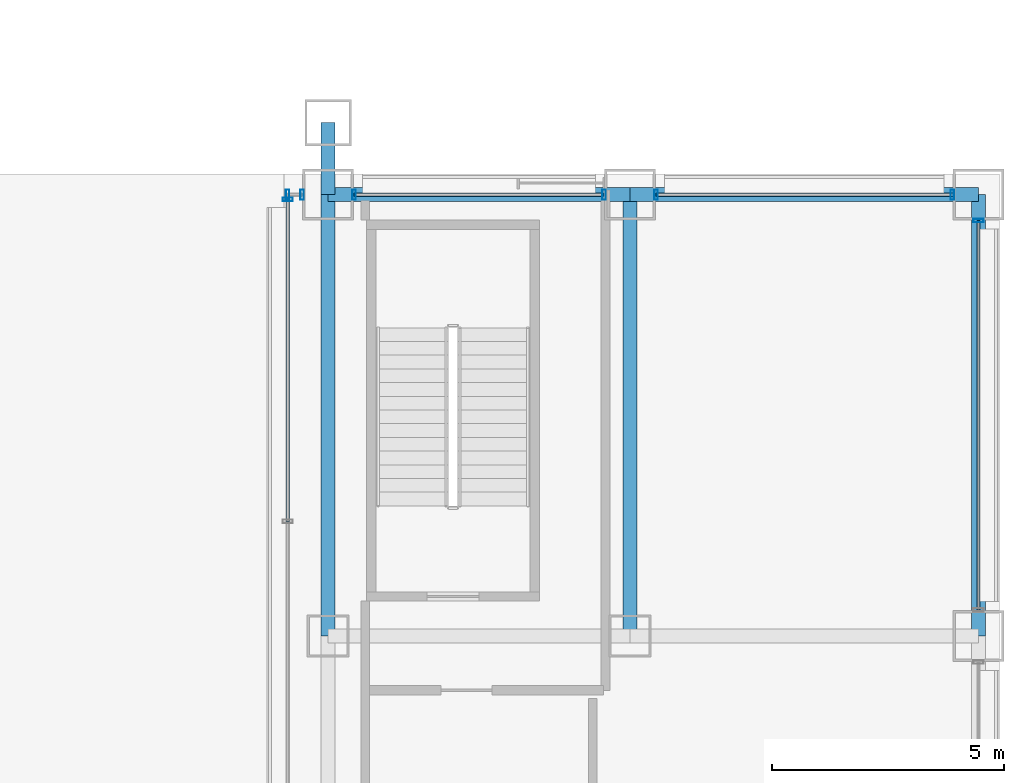
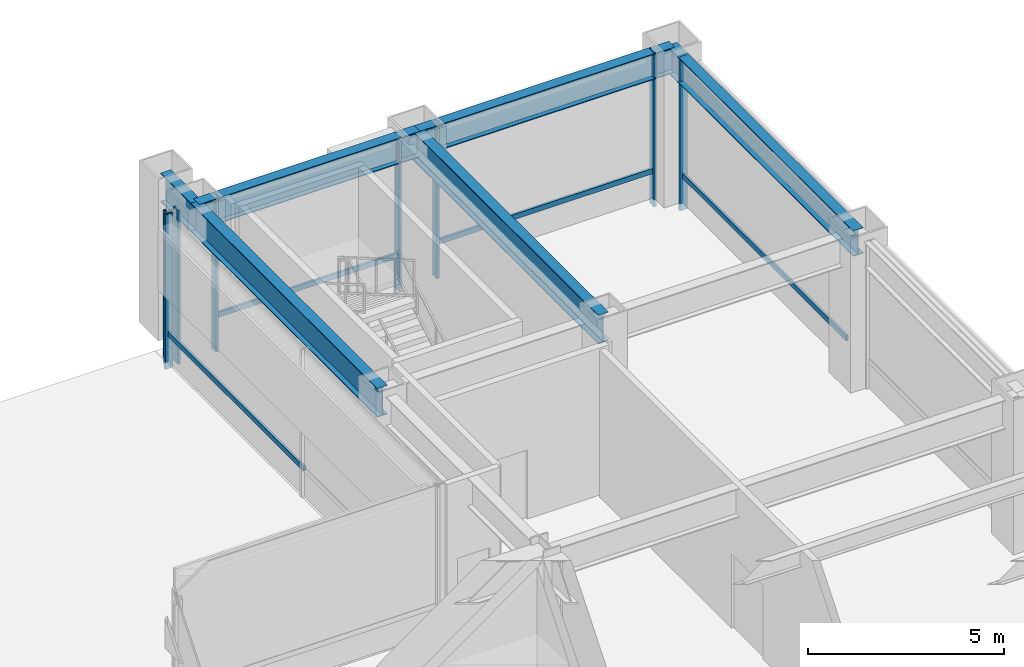
# One storey, part 20 of 37: 12 members, 6 beams, 5 elements without a shape of their own.
"""IFC4 building model written with IfcOpenShell, lengths in metres."""

from ifc_helpers import new_model, si_unit, direction, frame, origin, origin_2d, place, context, subcontext, project, spatial, hollow_rectangle, i_section, extrude, material, layer, layer_set, material_profile, profile_set, type_object, element, aggregate, save


model = new_model("IFC4")

# Units and contexts
model_context = context("Model", 3, precision=1e-05, world=origin(), true_north=direction((0.0, 1.0)))
body_context = subcontext(model_context, "Body", "Model", "MODEL_VIEW")
ifc_project = project(units=[si_unit("LENGTHUNIT", "METRE"), si_unit("AREAUNIT", "SQUARE_METRE"), si_unit("VOLUMEUNIT", "CUBIC_METRE"), si_unit("PLANEANGLEUNIT", "RADIAN"), si_unit("MASSUNIT", "GRAM", prefix="KILO")], contexts=[model_context])

# Site, building, storey
site_placement = place(None, origin())
site = spatial("IfcSite", under=ifc_project, at=site_placement, CompositionType="ELEMENT")
building_placement = place(site_placement, origin())
building = spatial("IfcBuilding", under=site, at=building_placement, Name="Brelmoor Portico Tower", CompositionType="ELEMENT")
storey_placement = place(building_placement, origin())
storey = spatial("IfcBuildingStorey", under=building, at=storey_placement, Name="L00", CompositionType="ELEMENT", Elevation=0.0)

# Beams
ifc_material_1 = material(Name="Steel Q355B", Category="steel")
ifc_material_profile_1 = material_profile(ifc_material_1, i_section(OverallWidth=0.300048828125, OverallDepth=0.89990234375, WebThickness=0.01611328125, FlangeThickness=0.028076171875, at=origin_2d()), Name="HN 900x300x16x28")
ifc_profile_set_1 = profile_set([ifc_material_profile_1], Name="Steel Q355B")
beam_type_1 = type_object("IfcBeamType", Name="BM-PG-900", PredefinedType="BEAM", material=ifc_profile_set_1)
beam_1_placement = place(storey_placement, frame((14.550048828125, 18.050048828125, 4.1298828125), z_axis=(0.0, 1.0, 0.0), x_axis=(-1.0, 0.0, 0.0)))
element("IfcBeam", 1, at=beam_1_placement, inside=storey, type_object=beam_type_1, Name="L00 Primary Floor Girder PG-17", PredefinedType="BEAM", context=body_context, shape_type="SweptSolid", body=[
    extrude(i_section(OverallWidth=0.300048828125, OverallDepth=0.89990234375, WebThickness=0.01611328125, FlangeThickness=0.028076171875, at=origin_2d()), origin(), (0.0, 0.0, 1.0), 9.5),
])
beam_2_placement = place(storey_placement, frame((14.550048828125, 27.550048828125, 4.1298828125), z_axis=(0.0, 1.0, 0.0), x_axis=(-1.0, 0.0, 0.0)))
element("IfcBeam", 2, at=beam_2_placement, inside=storey, type_object=beam_type_1, Name="L00 Primary Floor Girder PG-18", PredefinedType="BEAM", context=body_context, shape_type="SweptSolid", body=[
    extrude(i_section(OverallWidth=0.300048828125, OverallDepth=0.89990234375, WebThickness=0.01611328125, FlangeThickness=0.028076171875, at=origin_2d()), origin(), (0.0, 0.0, 1.0), 1.550048828125),
])
beam_3_placement = place(storey_placement, frame((21.050048828125, 18.050048828125, 4.1298828125), z_axis=(0.0, 1.0, 0.0), x_axis=(-1.0, 0.0, 0.0)))
element("IfcBeam", 3, at=beam_3_placement, inside=storey, type_object=beam_type_1, Name="L00 Primary Floor Girder PG-20", PredefinedType="BEAM", context=body_context, shape_type="SweptSolid", body=[
    extrude(i_section(OverallWidth=0.300048828125, OverallDepth=0.89990234375, WebThickness=0.01611328125, FlangeThickness=0.028076171875, at=origin_2d()), origin(), (0.0, 0.0, 1.0), 9.5),
])
ifc_material_profile_2 = material_profile(ifc_material_1, i_section(OverallWidth=0.300048828125, OverallDepth=0.800048828125, WebThickness=0.013916015625, FlangeThickness=0.02587890625, at=origin_2d()), Name="HN 800x300x14x26")
ifc_profile_set_2 = profile_set([ifc_material_profile_2], Name="Steel Q355B")
beam_type_2 = type_object("IfcBeamType", Name="BM-SP-800", PredefinedType="SPANDREL", material=ifc_profile_set_2)
beam_4_placement = place(storey_placement, frame((14.550048828125, 27.550048828125, 4.179931640625), z_axis=(1.0, 0.0, 0.0), x_axis=(0.0, 1.0, 0.0)))
element("IfcBeam", 4, at=beam_4_placement, inside=storey, type_object=beam_type_2, Name="L00 Perimeter Spandrel Beam SP-07", PredefinedType="SPANDREL", context=body_context, shape_type="SweptSolid", body=[
    extrude(i_section(OverallWidth=0.300048828125, OverallDepth=0.800048828125, WebThickness=0.013916015625, FlangeThickness=0.02587890625, at=origin_2d()), origin(), (0.0, 0.0, 1.0), 6.5),
])
beam_5_placement = place(storey_placement, frame((21.050048828125, 27.550048828125, 4.179931640625), z_axis=(1.0, 0.0, 0.0), x_axis=(0.0, 1.0, 0.0)))
element("IfcBeam", 5, at=beam_5_placement, inside=storey, type_object=beam_type_2, Name="L00 Perimeter Spandrel Beam SP-08", PredefinedType="SPANDREL", context=body_context, shape_type="SweptSolid", body=[
    extrude(i_section(OverallWidth=0.300048828125, OverallDepth=0.800048828125, WebThickness=0.013916015625, FlangeThickness=0.02587890625, at=origin_2d()), origin(), (0.0, 0.0, 1.0), 7.5),
])
beam_6_placement = place(storey_placement, frame((28.550048828125, 18.050048828125, 4.179931640625), z_axis=(0.0, 1.0, 0.0), x_axis=(-1.0, 0.0, 0.0)))
element("IfcBeam", 6, at=beam_6_placement, inside=storey, type_object=beam_type_2, Name="L00 Perimeter Spandrel Beam SP-20", PredefinedType="SPANDREL", context=body_context, shape_type="SweptSolid", body=[
    extrude(i_section(OverallWidth=0.300048828125, OverallDepth=0.800048828125, WebThickness=0.013916015625, FlangeThickness=0.02587890625, at=origin_2d()), origin(), (0.0, 0.0, 1.0), 9.5),
])

# Curtain wall, members
ifc_material_2 = material(Name="Anodised Aluminium Alloy 6063-T6", Category="aluminium")
ifc_layer = layer(ifc_material_2, 0.179931640625)
ifc_layer_set = layer_set([ifc_layer], Name="Anodised Aluminium Alloy 6063-T6")
curtain_wall_type = type_object("IfcCurtainWallType", Name="CW-PODIUM-ARCH", PredefinedType="NOTDEFINED", material=ifc_layer_set)
curtain_wall_1_placement = place(storey_placement, origin())
curtain_wall_1 = element("IfcCurtainWall", 7, at=curtain_wall_1_placement, inside=storey, type_object=curtain_wall_type, Name="L00 Curtain Wall CW-L00-04-1", PredefinedType="NOTDEFINED")
ifc_material_profile_3 = material_profile(ifc_material_2, hollow_rectangle(XDim=0.074951171875, YDim=0.219970703125, WallThickness=0.0048828125, at=origin_2d()), Name="ALU MULLION 75x220")
ifc_profile_set_3 = profile_set([ifc_material_profile_3], Name="Anodised Aluminium Alloy 6063-T6")
member_type_1 = type_object("IfcMemberType", Name="MB-CW-MULL-220", PredefinedType="MULLION", material=ifc_profile_set_3)
member_1_placement = place(storey_placement, frame((13.679931640625, 27.550048828125, -0.219970703125), z_axis=(0.0, 0.0, 1.0), x_axis=(1.0, 0.0, 0.0)))
member_1 = element("IfcMember", 8, at=member_1_placement, type_object=member_type_1, Name="CW-L00-04-1 Mullion 00", PredefinedType="MULLION", context=body_context, shape_type="SweptSolid", body=[
    extrude(hollow_rectangle(XDim=0.074951171875, YDim=0.219970703125, WallThickness=0.0048828125, at=origin_2d()), origin(), (0.0, 0.0, 1.0), 4.800048828125),
])
member_2_placement = place(storey_placement, frame((13.989990234375, 27.550048828125, -0.219970703125), z_axis=(0.0, 0.0, 1.0), x_axis=(1.0, 0.0, 0.0)))
member_2 = element("IfcMember", 9, at=member_2_placement, type_object=member_type_1, Name="CW-L00-04-1 Mullion 01", PredefinedType="MULLION", context=body_context, shape_type="SweptSolid", body=[
    extrude(hollow_rectangle(XDim=0.074951171875, YDim=0.219970703125, WallThickness=0.0048828125, at=origin_2d()), origin(), (0.0, 0.0, 1.0), 4.800048828125),
])
aggregate(curtain_wall_1, [member_1, member_2])

curtain_wall_2_placement = place(storey_placement, origin())
curtain_wall_2 = element("IfcCurtainWall", 10, at=curtain_wall_2_placement, inside=storey, type_object=curtain_wall_type, Name="L00 Curtain Wall CW-L00-04-2", PredefinedType="NOTDEFINED")
member_3_placement = place(storey_placement, frame((15.110107421875, 27.550048828125, -0.219970703125), z_axis=(0.0, 0.0, 1.0), x_axis=(1.0, 0.0, 0.0)))
member_3 = element("IfcMember", 11, at=member_3_placement, type_object=member_type_1, Name="CW-L00-04-2 Mullion 00", PredefinedType="MULLION", context=body_context, shape_type="SweptSolid", body=[
    extrude(hollow_rectangle(XDim=0.074951171875, YDim=0.219970703125, WallThickness=0.0048828125, at=origin_2d()), origin(), (0.0, 0.0, 1.0), 4.800048828125),
])
member_4_placement = place(storey_placement, frame((20.489990234375, 27.550048828125, -0.219970703125), z_axis=(0.0, 0.0, 1.0), x_axis=(1.0, 0.0, 0.0)))
member_4 = element("IfcMember", 12, at=member_4_placement, type_object=member_type_1, Name="CW-L00-04-2 Mullion 01", PredefinedType="MULLION", context=body_context, shape_type="SweptSolid", body=[
    extrude(hollow_rectangle(XDim=0.074951171875, YDim=0.219970703125, WallThickness=0.0048828125, at=origin_2d()), origin(), (0.0, 0.0, 1.0), 4.800048828125),
])

curtain_wall_3_placement = place(storey_placement, origin())
curtain_wall_3 = element("IfcCurtainWall", 13, at=curtain_wall_3_placement, inside=storey, type_object=curtain_wall_type, Name="L00 Curtain Wall CW-L00-04-3", PredefinedType="NOTDEFINED")
member_5_placement = place(storey_placement, frame((21.610107421875, 27.550048828125, -0.219970703125), z_axis=(0.0, 0.0, 1.0), x_axis=(1.0, 0.0, 0.0)))
member_5 = element("IfcMember", 14, at=member_5_placement, type_object=member_type_1, Name="CW-L00-04-3 Mullion 00", PredefinedType="MULLION", context=body_context, shape_type="SweptSolid", body=[
    extrude(hollow_rectangle(XDim=0.074951171875, YDim=0.219970703125, WallThickness=0.0048828125, at=origin_2d()), origin(), (0.0, 0.0, 1.0), 4.800048828125),
])
member_6_placement = place(storey_placement, frame((27.989990234375, 27.550048828125, -0.219970703125), z_axis=(0.0, 0.0, 1.0), x_axis=(1.0, 0.0, 0.0)))
member_6 = element("IfcMember", 15, at=member_6_placement, type_object=member_type_1, Name="CW-L00-04-3 Mullion 01", PredefinedType="MULLION", context=body_context, shape_type="SweptSolid", body=[
    extrude(hollow_rectangle(XDim=0.074951171875, YDim=0.219970703125, WallThickness=0.0048828125, at=origin_2d()), origin(), (0.0, 0.0, 1.0), 4.800048828125),
])

# Curtain wall, member
curtain_wall_4_placement = place(storey_placement, origin())
curtain_wall_4 = element("IfcCurtainWall", 16, at=curtain_wall_4_placement, inside=storey, type_object=curtain_wall_type, Name="L00 Curtain Wall CW-L00-06-6", PredefinedType="NOTDEFINED")
member_7_placement = place(storey_placement, frame((28.550048828125, 26.989990234375, -0.219970703125), z_axis=(0.0, 0.0, 1.0), x_axis=(0.0, 1.0, 0.0)))
member_7 = element("IfcMember", 17, at=member_7_placement, type_object=member_type_1, Name="CW-L00-06-6 Mullion 01", PredefinedType="MULLION", context=body_context, shape_type="SweptSolid", body=[
    extrude(hollow_rectangle(XDim=0.074951171875, YDim=0.219970703125, WallThickness=0.0048828125, at=origin_2d()), origin(), (0.0, 0.0, 1.0), 4.800048828125),
])

curtain_wall_5_placement = place(storey_placement, origin())
curtain_wall_5 = element("IfcCurtainWall", 18, at=curtain_wall_5_placement, inside=storey, type_object=curtain_wall_type, Name="L00 Curtain Wall CW-L00-10", PredefinedType="NOTDEFINED")
member_8_placement = place(storey_placement, frame((13.679931640625, 27.449951171875, -0.219970703125), z_axis=(0.0, 0.0, 1.0), x_axis=(0.0, 1.0, 0.0)))
member_8 = element("IfcMember", 19, at=member_8_placement, type_object=member_type_1, Name="CW-L00-10 Mullion 02", PredefinedType="MULLION", context=body_context, shape_type="SweptSolid", body=[
    extrude(hollow_rectangle(XDim=0.074951171875, YDim=0.219970703125, WallThickness=0.0048828125, at=origin_2d()), origin(), (0.0, 0.0, 1.0), 4.800048828125),
])

# Member
ifc_material_profile_4 = material_profile(ifc_material_2, hollow_rectangle(XDim=0.070068359375, YDim=0.159912109375, WallThickness=0.00390625, at=origin_2d()), Name="ALU TRANSOM 70x160")
ifc_profile_set_4 = profile_set([ifc_material_profile_4], Name="Anodised Aluminium Alloy 6063-T6")
member_type_2 = type_object("IfcMemberType", Name="MB-CW-TRAN-160", PredefinedType="USERDEFINED", material=ifc_profile_set_4)
member_9_placement = place(storey_placement, frame((15.110107421875, 27.550048828125, 0.85009765625), z_axis=(1.0, 0.0, 0.0), x_axis=(0.0, 1.0, 0.0)))
member_9 = element("IfcMember", 20, at=member_9_placement, type_object=member_type_2, Name="CW-L00-04-2 Transom 1-00", ObjectType="TRANSOM", PredefinedType="USERDEFINED", context=body_context, shape_type="SweptSolid", body=[
    extrude(hollow_rectangle(XDim=0.070068359375, YDim=0.159912109375, WallThickness=0.00390625, at=origin_2d()), origin(), (0.0, 0.0, 1.0), 5.3798828125),
])

aggregate(curtain_wall_2, [member_3, member_4, member_9])

member_10_placement = place(storey_placement, frame((21.610107421875, 27.550048828125, 0.85009765625), z_axis=(1.0, 0.0, 0.0), x_axis=(0.0, 1.0, 0.0)))
member_10 = element("IfcMember", 21, at=member_10_placement, type_object=member_type_2, Name="CW-L00-04-3 Transom 1-00", ObjectType="TRANSOM", PredefinedType="USERDEFINED", context=body_context, shape_type="SweptSolid", body=[
    extrude(hollow_rectangle(XDim=0.070068359375, YDim=0.159912109375, WallThickness=0.00390625, at=origin_2d()), origin(), (0.0, 0.0, 1.0), 6.3798828125),
])

aggregate(curtain_wall_3, [member_5, member_6, member_10])

member_11_placement = place(storey_placement, frame((28.550048828125, 18.610107421875, 0.85009765625), z_axis=(0.0, 1.0, 0.0), x_axis=(-1.0, 0.0, 0.0)))
member_11 = element("IfcMember", 22, at=member_11_placement, type_object=member_type_2, Name="CW-L00-06-6 Transom 1-00", ObjectType="TRANSOM", PredefinedType="USERDEFINED", context=body_context, shape_type="SweptSolid", body=[
    extrude(hollow_rectangle(XDim=0.070068359375, YDim=0.159912109375, WallThickness=0.00390625, at=origin_2d()), origin(), (0.0, 0.0, 1.0), 8.3798828125),
])

aggregate(curtain_wall_4, [member_7, member_11])

member_12_placement = place(storey_placement, frame((13.679931640625, 20.514892578125, 0.85009765625), z_axis=(0.0, 1.0, 0.0), x_axis=(-1.0, 0.0, 0.0)))
member_12 = element("IfcMember", 23, at=member_12_placement, type_object=member_type_2, Name="CW-L00-10 Transom 1-01", ObjectType="TRANSOM", PredefinedType="USERDEFINED", context=body_context, shape_type="SweptSolid", body=[
    extrude(hollow_rectangle(XDim=0.070068359375, YDim=0.159912109375, WallThickness=0.00390625, at=origin_2d()), origin(), (0.0, 0.0, 1.0), 6.93505859375),
])

aggregate(curtain_wall_5, [member_8, member_12])

save(model, "model.ifc")
